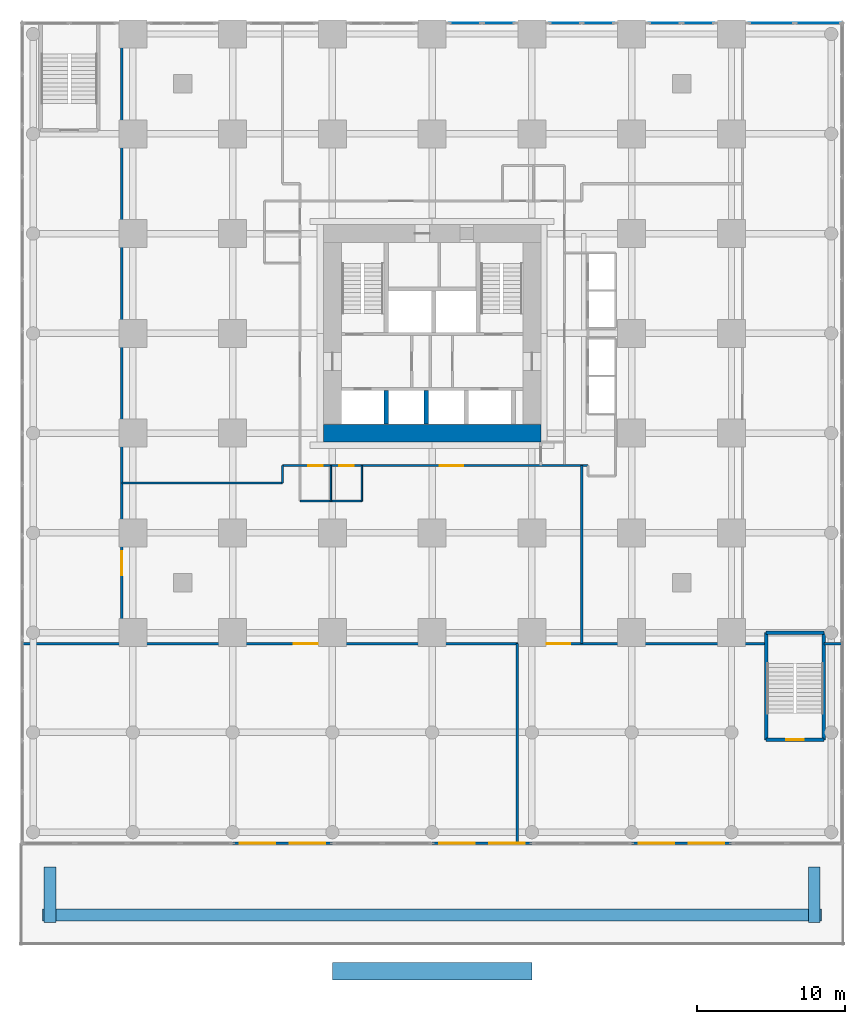
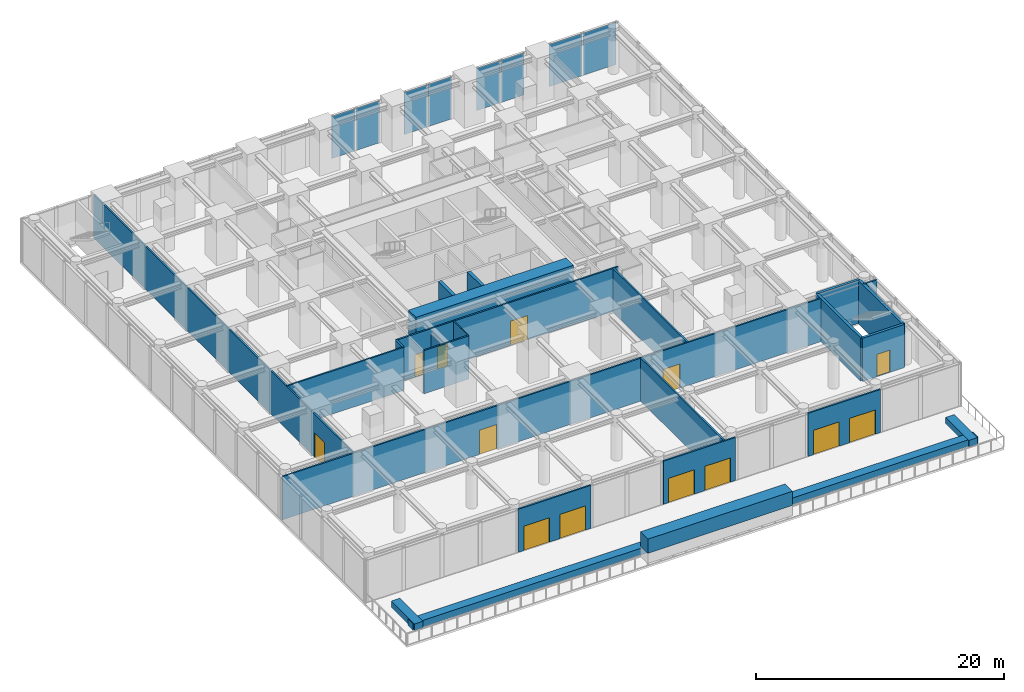
# One storey, part 8 of 11: 25 walls, 13 doors, 8 plates, 13 openings, 4 elements without a shape of their own.
"""IFC4 building model written with IfcOpenShell, lengths in metres."""

from ifc_helpers import new_model, si_unit, direction, frame, frame_2d, origin, origin_2d, place, context, subcontext, project, spatial, rectangle, extrude, material, layer, layer_set, type_object, element, fill, aggregate, save


model = new_model("IFC4")

# Units and contexts
model_context = context("Model", 3, precision=1e-05, world=origin(), true_north=direction((0.0, 1.0)))
body_context = subcontext(model_context, "Body", "Model", "MODEL_VIEW")
ifc_project = project(units=[si_unit("LENGTHUNIT", "METRE"), si_unit("AREAUNIT", "SQUARE_METRE"), si_unit("VOLUMEUNIT", "CUBIC_METRE"), si_unit("PLANEANGLEUNIT", "RADIAN"), si_unit("MASSUNIT", "GRAM", prefix="KILO")], contexts=[model_context])

# Site, building, storey
site_placement = place(None, origin())
site = spatial("IfcSite", under=ifc_project, at=site_placement, CompositionType="ELEMENT")
building_placement = place(site_placement, origin())
building = spatial("IfcBuilding", under=site, at=building_placement, Name="Nyansa Garden Tower", CompositionType="ELEMENT")
storey_placement = place(building_placement, frame((0.0, 0.0, 4.5)))
storey = spatial("IfcBuildingStorey", under=building, at=storey_placement, Name="L01", CompositionType="ELEMENT", Elevation=4.5)

# Curtain wall, plates
ifc_material_1 = material(Name="Black anodised aluminium, clear double glazing", Category="aluminium")
curtain_wall_type = type_object("IfcCurtainWallType", Name="Podium curtain wall PCW", PredefinedType="USERDEFINED", material=ifc_material_1)
curtain_wall_1_placement = place(storey_placement, origin())
curtain_wall_1 = element("IfcCurtainWall", 1, at=curtain_wall_1_placement, inside=storey, type_object=curtain_wall_type, Name="Podium curtain wall L01 N", ObjectType="STICK CURTAIN WALL", PredefinedType="USERDEFINED")
ifc_material_2 = material(Name="Clear laminated double glazing", Category="glass")
ifc_layer_1 = layer(ifc_material_2, 0.0380859375)
ifc_layer_set_1 = layer_set([ifc_layer_1], Name="Podium vision panel VP-P")
plate_type = type_object("IfcPlateType", Name="Podium vision panel VP-P", PredefinedType="CURTAIN_PANEL", material=ifc_layer_set_1)
plate_1_placement = place(storey_placement, frame((46.376220703125, 41.25, 0.0), z_axis=(0.0, 0.0, 1.0), x_axis=(-1.0, 0.0, 0.0)))
plate_1 = element("IfcPlate", 2, at=plate_1_placement, type_object=plate_type, Name="PCW panel 1", PredefinedType="CURTAIN_PANEL", context=body_context, shape_type="SweptSolid", body=[
    extrude(rectangle(XDim=3.08740234375, YDim=0.0380859375, at=origin_2d()), origin(), (0.0, 0.0, 1.0), 4.169921875),
])
plate_2_placement = place(storey_placement, frame((43.208740234375, 41.25, 0.0), z_axis=(0.0, 0.0, 1.0), x_axis=(-1.0, 0.0, 0.0)))
plate_2 = element("IfcPlate", 3, at=plate_2_placement, type_object=plate_type, Name="PCW panel 2", PredefinedType="CURTAIN_PANEL", context=body_context, shape_type="SweptSolid", body=[
    extrude(rectangle(XDim=3.08740234375, YDim=0.0380859375, at=origin_2d()), origin(), (0.0, 0.0, 1.0), 4.169921875),
])
aggregate(curtain_wall_1, [plate_1, plate_2])

curtain_wall_2_placement = place(storey_placement, origin())
curtain_wall_2 = element("IfcCurtainWall", 4, at=curtain_wall_2_placement, inside=storey, type_object=curtain_wall_type, Name="Podium curtain wall L01 N", ObjectType="STICK CURTAIN WALL", PredefinedType="USERDEFINED")
plate_3_placement = place(storey_placement, frame((38.25, 41.25, 0.0), z_axis=(0.0, 0.0, 1.0), x_axis=(-1.0, 0.0, 0.0)))
plate_3 = element("IfcPlate", 5, at=plate_3_placement, type_object=plate_type, Name="PCW panel 1", PredefinedType="CURTAIN_PANEL", context=body_context, shape_type="SweptSolid", body=[
    extrude(rectangle(XDim=2.169921875, YDim=0.0380859375, at=origin_2d()), origin(), (0.0, 0.0, 1.0), 4.169921875),
])
plate_4_placement = place(storey_placement, frame((36.0, 41.25, 0.0), z_axis=(0.0, 0.0, 1.0), x_axis=(-1.0, 0.0, 0.0)))
plate_4 = element("IfcPlate", 6, at=plate_4_placement, type_object=plate_type, Name="PCW panel 2", PredefinedType="CURTAIN_PANEL", context=body_context, shape_type="SweptSolid", body=[
    extrude(rectangle(XDim=2.169921875, YDim=0.0380859375, at=origin_2d()), origin(), (0.0, 0.0, 1.0), 4.169921875),
])
aggregate(curtain_wall_2, [plate_3, plate_4])

curtain_wall_3_placement = place(storey_placement, origin())
curtain_wall_3 = element("IfcCurtainWall", 7, at=curtain_wall_3_placement, inside=storey, type_object=curtain_wall_type, Name="Podium curtain wall L01 N", ObjectType="STICK CURTAIN WALL", PredefinedType="USERDEFINED")
plate_5_placement = place(storey_placement, frame((31.5, 41.25, 0.0), z_axis=(0.0, 0.0, 1.0), x_axis=(-1.0, 0.0, 0.0)))
plate_5 = element("IfcPlate", 8, at=plate_5_placement, type_object=plate_type, Name="PCW panel 1", PredefinedType="CURTAIN_PANEL", context=body_context, shape_type="SweptSolid", body=[
    extrude(rectangle(XDim=2.169921875, YDim=0.0380859375, at=origin_2d()), origin(), (0.0, 0.0, 1.0), 4.169921875),
])
plate_6_placement = place(storey_placement, frame((29.25, 41.25, 0.0), z_axis=(0.0, 0.0, 1.0), x_axis=(-1.0, 0.0, 0.0)))
plate_6 = element("IfcPlate", 9, at=plate_6_placement, type_object=plate_type, Name="PCW panel 2", PredefinedType="CURTAIN_PANEL", context=body_context, shape_type="SweptSolid", body=[
    extrude(rectangle(XDim=2.169921875, YDim=0.0380859375, at=origin_2d()), origin(), (0.0, 0.0, 1.0), 4.169921875),
])
aggregate(curtain_wall_3, [plate_5, plate_6])

curtain_wall_4_placement = place(storey_placement, origin())
curtain_wall_4 = element("IfcCurtainWall", 10, at=curtain_wall_4_placement, inside=storey, type_object=curtain_wall_type, Name="Podium curtain wall L01 N", ObjectType="STICK CURTAIN WALL", PredefinedType="USERDEFINED")
plate_7_placement = place(storey_placement, frame((24.75, 41.25, 0.0), z_axis=(0.0, 0.0, 1.0), x_axis=(-1.0, 0.0, 0.0)))
plate_7 = element("IfcPlate", 11, at=plate_7_placement, type_object=plate_type, Name="PCW panel 1", PredefinedType="CURTAIN_PANEL", context=body_context, shape_type="SweptSolid", body=[
    extrude(rectangle(XDim=2.169921875, YDim=0.0380859375, at=origin_2d()), origin(), (0.0, 0.0, 1.0), 4.169921875),
])
plate_8_placement = place(storey_placement, frame((22.5, 41.25, 0.0), z_axis=(0.0, 0.0, 1.0), x_axis=(-1.0, 0.0, 0.0)))
plate_8 = element("IfcPlate", 12, at=plate_8_placement, type_object=plate_type, Name="PCW panel 2", PredefinedType="CURTAIN_PANEL", context=body_context, shape_type="SweptSolid", body=[
    extrude(rectangle(XDim=2.169921875, YDim=0.0380859375, at=origin_2d()), origin(), (0.0, 0.0, 1.0), 4.169921875),
])
aggregate(curtain_wall_4, [plate_7, plate_8])

# Wall, openings, doors
ifc_material_3 = material(Name="Black aluminium framed glazed screen", Category="aluminium")
ifc_layer_2 = layer(ifc_material_3, 0.14990234375)
ifc_layer_set_2 = layer_set([ifc_layer_2], Name="Balcony screen wall BW150")
wall_type_1 = type_object("IfcWallType", Name="Balcony screen wall BW150", PredefinedType="SOLIDWALL", material=ifc_layer_set_2)
wall_1_placement = place(storey_placement, frame((13.5, -14.25, 0.0), z_axis=(0.0, 0.0, 1.0), x_axis=(-1.0, 0.0, 0.0)))
wall_1 = element("IfcWall", 13, at=wall_1_placement, inside=storey, type_object=wall_type_1, Name="Glazed screen wall L01 S", PredefinedType="SOLIDWALL", context=body_context, shape_type="SweptSolid", body=[
    extrude(rectangle(XDim=6.75, YDim=0.14990234375, at=frame_2d((3.375, 0.0))), origin(), (0.0, 0.0, 1.0), 4.25),
])
opening_1_placement = place(wall_1_placement, frame((0.487548828125, 0.0, 0.0)))
opening_1 = element("IfcOpeningElement", 14, at=opening_1_placement, cuts=wall_1, Name="Opening D21", PredefinedType="OPENING", context=body_context, shape_type="SweptSolid", body=[
    extrude(rectangle(XDim=2.39990234375, YDim=2.39990234375, at=frame_2d((1.199951171875, 1.199951171875))), frame((0.0, 0.0849609375, 0.0), z_axis=(0.0, -1.0, 0.0), x_axis=(1.0, 0.0, 0.0)), (0.0, 0.0, 1.0), 0.169921875),
])
opening_2_placement = place(wall_1_placement, frame((3.862548828125, 0.0, 0.0)))
opening_2 = element("IfcOpeningElement", 15, at=opening_2_placement, cuts=wall_1, Name="Opening D21", PredefinedType="OPENING", context=body_context, shape_type="SweptSolid", body=[
    extrude(rectangle(XDim=2.39990234375, YDim=2.39990234375, at=frame_2d((1.199951171875, 1.199951171875))), frame((0.0, 0.0849609375, 0.0), z_axis=(0.0, -1.0, 0.0), x_axis=(1.0, 0.0, 0.0)), (0.0, 0.0, 1.0), 0.169921875),
])
ifc_material_4 = material(Name="Black aluminium framed glazed sliding door", Category="aluminium")
door_type_1 = type_object("IfcDoorType", Name="Terrace sliding door D21 2400x2400", OperationType="SLIDING_TO_LEFT", PredefinedType="DOOR", material=ifc_material_4)
door_1_placement = place(opening_1_placement, origin())
door_1 = element("IfcDoor", 16, at=door_1_placement, inside=storey, type_object=door_type_1, Name="Terrace door L01", OperationType="SLIDING_TO_LEFT", OverallHeight=2.39990234375, OverallWidth=2.39990234375, PredefinedType="DOOR", context=body_context, shape_type="SweptSolid", body=[
    extrude(rectangle(XDim=2.39990234375, YDim=2.39990234375, at=frame_2d((1.199951171875, 1.199951171875))), frame((0.0, 0.02490234375, 0.0), z_axis=(0.0, -1.0, 0.0), x_axis=(1.0, 0.0, 0.0)), (0.0, 0.0, 1.0), 0.050048828125),
])
fill(opening_1, door_1)
door_2_placement = place(opening_2_placement, origin())
door_2 = element("IfcDoor", 17, at=door_2_placement, inside=storey, type_object=door_type_1, Name="Terrace door L01", OperationType="SLIDING_TO_LEFT", OverallHeight=2.39990234375, OverallWidth=2.39990234375, PredefinedType="DOOR", context=body_context, shape_type="SweptSolid", body=[
    extrude(rectangle(XDim=2.39990234375, YDim=2.39990234375, at=frame_2d((1.199951171875, 1.199951171875))), frame((0.0, 0.02490234375, 0.0), z_axis=(0.0, -1.0, 0.0), x_axis=(1.0, 0.0, 0.0)), (0.0, 0.0, 1.0), 0.050048828125),
])
fill(opening_2, door_2)

wall_2_placement = place(storey_placement, frame((27.0, -14.25, 0.0), z_axis=(0.0, 0.0, 1.0), x_axis=(-1.0, 0.0, 0.0)))
wall_2 = element("IfcWall", 18, at=wall_2_placement, inside=storey, type_object=wall_type_1, Name="Glazed screen wall L01 S", PredefinedType="SOLIDWALL", context=body_context, shape_type="SweptSolid", body=[
    extrude(rectangle(XDim=6.75, YDim=0.14990234375, at=frame_2d((3.375, 0.0))), origin(), (0.0, 0.0, 1.0), 4.25),
])
opening_3_placement = place(wall_2_placement, frame((0.487548828125, 0.0, 0.0)))
opening_3 = element("IfcOpeningElement", 19, at=opening_3_placement, cuts=wall_2, Name="Opening D21", PredefinedType="OPENING", context=body_context, shape_type="SweptSolid", body=[
    extrude(rectangle(XDim=2.39990234375, YDim=2.39990234375, at=frame_2d((1.199951171875, 1.199951171875))), frame((0.0, 0.0849609375, 0.0), z_axis=(0.0, -1.0, 0.0), x_axis=(1.0, 0.0, 0.0)), (0.0, 0.0, 1.0), 0.169921875),
])
opening_4_placement = place(wall_2_placement, frame((3.862548828125, 0.0, 0.0)))
opening_4 = element("IfcOpeningElement", 20, at=opening_4_placement, cuts=wall_2, Name="Opening D21", PredefinedType="OPENING", context=body_context, shape_type="SweptSolid", body=[
    extrude(rectangle(XDim=2.39990234375, YDim=2.39990234375, at=frame_2d((1.199951171875, 1.199951171875))), frame((0.0, 0.0849609375, 0.0), z_axis=(0.0, -1.0, 0.0), x_axis=(1.0, 0.0, 0.0)), (0.0, 0.0, 1.0), 0.169921875),
])
door_3_placement = place(opening_3_placement, origin())
door_3 = element("IfcDoor", 21, at=door_3_placement, inside=storey, type_object=door_type_1, Name="Terrace door L01", OperationType="SLIDING_TO_LEFT", OverallHeight=2.39990234375, OverallWidth=2.39990234375, PredefinedType="DOOR", context=body_context, shape_type="SweptSolid", body=[
    extrude(rectangle(XDim=2.39990234375, YDim=2.39990234375, at=frame_2d((1.199951171875, 1.199951171875))), frame((0.0, 0.02490234375, 0.0), z_axis=(0.0, -1.0, 0.0), x_axis=(1.0, 0.0, 0.0)), (0.0, 0.0, 1.0), 0.050048828125),
])
fill(opening_3, door_3)
door_4_placement = place(opening_4_placement, origin())
door_4 = element("IfcDoor", 22, at=door_4_placement, inside=storey, type_object=door_type_1, Name="Terrace door L01", OperationType="SLIDING_TO_LEFT", OverallHeight=2.39990234375, OverallWidth=2.39990234375, PredefinedType="DOOR", context=body_context, shape_type="SweptSolid", body=[
    extrude(rectangle(XDim=2.39990234375, YDim=2.39990234375, at=frame_2d((1.199951171875, 1.199951171875))), frame((0.0, 0.02490234375, 0.0), z_axis=(0.0, -1.0, 0.0), x_axis=(1.0, 0.0, 0.0)), (0.0, 0.0, 1.0), 0.050048828125),
])
fill(opening_4, door_4)

wall_3_placement = place(storey_placement, frame((40.5, -14.25, 0.0), z_axis=(0.0, 0.0, 1.0), x_axis=(-1.0, 0.0, 0.0)))
wall_3 = element("IfcWall", 23, at=wall_3_placement, inside=storey, type_object=wall_type_1, Name="Glazed screen wall L01 S", PredefinedType="SOLIDWALL", context=body_context, shape_type="SweptSolid", body=[
    extrude(rectangle(XDim=6.75, YDim=0.14990234375, at=frame_2d((3.375, 0.0))), origin(), (0.0, 0.0, 1.0), 4.25),
])
opening_5_placement = place(wall_3_placement, frame((0.487548828125, 0.0, 0.0)))
opening_5 = element("IfcOpeningElement", 24, at=opening_5_placement, cuts=wall_3, Name="Opening D21", PredefinedType="OPENING", context=body_context, shape_type="SweptSolid", body=[
    extrude(rectangle(XDim=2.39990234375, YDim=2.39990234375, at=frame_2d((1.199951171875, 1.199951171875))), frame((0.0, 0.0849609375, 0.0), z_axis=(0.0, -1.0, 0.0), x_axis=(1.0, 0.0, 0.0)), (0.0, 0.0, 1.0), 0.169921875),
])
opening_6_placement = place(wall_3_placement, frame((3.862548828125, 0.0, 0.0)))
opening_6 = element("IfcOpeningElement", 25, at=opening_6_placement, cuts=wall_3, Name="Opening D21", PredefinedType="OPENING", context=body_context, shape_type="SweptSolid", body=[
    extrude(rectangle(XDim=2.39990234375, YDim=2.39990234375, at=frame_2d((1.199951171875, 1.199951171875))), frame((0.0, 0.0849609375, 0.0), z_axis=(0.0, -1.0, 0.0), x_axis=(1.0, 0.0, 0.0)), (0.0, 0.0, 1.0), 0.169921875),
])
door_5_placement = place(opening_5_placement, origin())
door_5 = element("IfcDoor", 26, at=door_5_placement, inside=storey, type_object=door_type_1, Name="Terrace door L01", OperationType="SLIDING_TO_LEFT", OverallHeight=2.39990234375, OverallWidth=2.39990234375, PredefinedType="DOOR", context=body_context, shape_type="SweptSolid", body=[
    extrude(rectangle(XDim=2.39990234375, YDim=2.39990234375, at=frame_2d((1.199951171875, 1.199951171875))), frame((0.0, 0.02490234375, 0.0), z_axis=(0.0, -1.0, 0.0), x_axis=(1.0, 0.0, 0.0)), (0.0, 0.0, 1.0), 0.050048828125),
])
fill(opening_5, door_5)
door_6_placement = place(opening_6_placement, origin())
door_6 = element("IfcDoor", 27, at=door_6_placement, inside=storey, type_object=door_type_1, Name="Terrace door L01", OperationType="SLIDING_TO_LEFT", OverallHeight=2.39990234375, OverallWidth=2.39990234375, PredefinedType="DOOR", context=body_context, shape_type="SweptSolid", body=[
    extrude(rectangle(XDim=2.39990234375, YDim=2.39990234375, at=frame_2d((1.199951171875, 1.199951171875))), frame((0.0, 0.02490234375, 0.0), z_axis=(0.0, -1.0, 0.0), x_axis=(1.0, 0.0, 0.0)), (0.0, 0.0, 1.0), 0.050048828125),
])
fill(opening_6, door_6)

# Walls
ifc_material_5 = material(Name="Concrete C70/85", Category="concrete")
ifc_layer_3 = layer(ifc_material_5, 0.300048828125)
ifc_layer_set_3 = layer_set([ifc_layer_3], Name="Core inner wall CI300")
wall_type_2 = type_object("IfcWallType", Name="Core inner wall CI300", PredefinedType="SHEAR", material=ifc_layer_set_3)
for number, where, z_axis, x_axis, name in (
    (28, (17.14990234375, 14.10009765625, 0.0), (0.0, 0.0, 1.0), (0.0, 1.0, 0.0), "Core inner wall L01"),
    (29, (19.85009765625, 14.10009765625, 0.0), (0.0, 0.0, 1.0), (0.0, 1.0, 0.0), "Core inner wall L01"),
):
    element("IfcWall", number, at=place(storey_placement, frame(where, z_axis=z_axis, x_axis=x_axis)), inside=storey, type_object=wall_type_2, Name=name, PredefinedType="SHEAR", context=body_context, shape_type="SweptSolid", body=[
        extrude(rectangle(XDim=2.2998046875, YDim=0.300048828125, at=frame_2d((1.14990234375, 0.0))), origin(), (0.0, 0.0, 1.0), 4.5),
    ])
ifc_material_6 = material(Name="Concrete C80/95", Category="concrete")
ifc_layer_4 = layer(ifc_material_6, 1.199951171875)
ifc_layer_set_4 = layer_set([ifc_layer_4], Name="Core wall CW1200")
wall_type_3 = type_object("IfcWallType", Name="Core wall CW1200", PredefinedType="SHEAR", material=ifc_layer_set_4)
wall_4_placement = place(storey_placement, frame((12.89990234375, 13.5, 0.0), z_axis=(0.0, 0.0, 1.0), x_axis=(1.0, 0.0, 0.0)))
element("IfcWall", 30, at=wall_4_placement, inside=storey, type_object=wall_type_3, Name="Core wall S L01", PredefinedType="SHEAR", context=body_context, shape_type="SweptSolid", body=[
    extrude(rectangle(XDim=14.7001953125, YDim=1.199951171875, at=frame_2d((7.35009765625, 0.0))), origin(), (0.0, 0.0, 1.0), 4.5),
])

# Wall, openings, doors
ifc_material_7 = material(Name="Blockwork, plastered both sides", Category="masonry")
ifc_layer_5 = layer(ifc_material_7, 0.14990234375)
ifc_layer_set_5 = layer_set([ifc_layer_5], Name="Partition PW150")
wall_type_4 = type_object("IfcWallType", Name="Partition PW150", PredefinedType="PARTITIONING", material=ifc_layer_set_5)
wall_5_placement = place(storey_placement, frame((-7.48388671875, -0.75, 0.0), z_axis=(0.0, 0.0, 1.0), x_axis=(1.0, 0.0, 0.0)))
wall_5 = element("IfcWall", 31, at=wall_5_placement, inside=storey, type_object=wall_type_4, Name="Partition", PredefinedType="PARTITIONING", context=body_context, shape_type="SweptSolid", body=[
    extrude(rectangle(XDim=50.333984375, YDim=0.14990234375, at=frame_2d((25.1669921875, 0.0))), origin(), (0.0, 0.0, 1.0), 4.25),
])
opening_7_placement = place(wall_5_placement, frame((18.384033203125, 0.0, 0.0)))
opening_7 = element("IfcOpeningElement", 32, at=opening_7_placement, cuts=wall_5, Name="Opening D12", PredefinedType="OPENING", context=body_context, shape_type="SweptSolid", body=[
    extrude(rectangle(XDim=1.60009765625, YDim=2.39990234375, at=frame_2d((0.800048828125, 1.199951171875))), frame((0.0, 0.0849609375, 0.0), z_axis=(0.0, -1.0, 0.0), x_axis=(1.0, 0.0, 0.0)), (0.0, 0.0, 1.0), 0.169921875),
])
opening_8_placement = place(wall_5_placement, frame((35.48388671875, 0.0, 0.0)))
opening_8 = element("IfcOpeningElement", 33, at=opening_8_placement, cuts=wall_5, Name="Opening D12", PredefinedType="OPENING", context=body_context, shape_type="SweptSolid", body=[
    extrude(rectangle(XDim=1.60009765625, YDim=2.39990234375, at=frame_2d((0.800048828125, 1.199951171875))), frame((0.0, 0.0849609375, 0.0), z_axis=(0.0, -1.0, 0.0), x_axis=(1.0, 0.0, 0.0)), (0.0, 0.0, 1.0), 0.169921875),
])
ifc_material_8 = material(Name="Black aluminium glazed door, 60 minute fire resisting", Category="aluminium")
door_type_2 = type_object("IfcDoorType", Name="Amenity door D12 1600x2400", OperationType="DOUBLE_DOOR_SINGLE_SWING", PredefinedType="DOOR", material=ifc_material_8)
door_7_placement = place(opening_7_placement, origin())
door_7 = element("IfcDoor", 34, at=door_7_placement, inside=storey, type_object=door_type_2, Name="Door L01-030", OperationType="DOUBLE_DOOR_SINGLE_SWING", OverallHeight=2.39990234375, OverallWidth=1.60009765625, PredefinedType="DOOR", context=body_context, shape_type="SweptSolid", body=[
    extrude(rectangle(XDim=1.60009765625, YDim=2.39990234375, at=frame_2d((0.800048828125, 1.199951171875))), frame((0.0, 0.02490234375, 0.0), z_axis=(0.0, -1.0, 0.0), x_axis=(1.0, 0.0, 0.0)), (0.0, 0.0, 1.0), 0.050048828125),
])
fill(opening_7, door_7)
door_8_placement = place(opening_8_placement, origin())
door_8 = element("IfcDoor", 35, at=door_8_placement, inside=storey, type_object=door_type_2, Name="Door L01-031", OperationType="DOUBLE_DOOR_SINGLE_SWING", OverallHeight=2.39990234375, OverallWidth=1.60009765625, PredefinedType="DOOR", context=body_context, shape_type="SweptSolid", body=[
    extrude(rectangle(XDim=1.60009765625, YDim=2.39990234375, at=frame_2d((0.800048828125, 1.199951171875))), frame((0.0, 0.02490234375, 0.0), z_axis=(0.0, -1.0, 0.0), x_axis=(1.0, 0.0, 0.0)), (0.0, 0.0, 1.0), 0.050048828125),
])
fill(opening_8, door_8)

# Wall, opening, door
wall_6_placement = place(storey_placement, frame((-0.75, -0.75, 0.0), z_axis=(0.0, 0.0, 1.0), x_axis=(0.0, 1.0, 0.0)))
wall_6 = element("IfcWall", 36, at=wall_6_placement, inside=storey, type_object=wall_type_4, Name="Partition", PredefinedType="PARTITIONING", context=body_context, shape_type="SweptSolid", body=[
    extrude(rectangle(XDim=41.98388671875, YDim=0.14990234375, at=frame_2d((20.991943359375, 0.0))), origin(), (0.0, 0.0, 1.0), 4.25),
])
opening_9_placement = place(wall_6_placement, frame((4.64990234375, 0.0, 0.0)))
opening_9 = element("IfcOpeningElement", 37, at=opening_9_placement, cuts=wall_6, Name="Opening D12", PredefinedType="OPENING", context=body_context, shape_type="SweptSolid", body=[
    extrude(rectangle(XDim=1.60009765625, YDim=2.39990234375, at=frame_2d((0.800048828125, 1.199951171875))), frame((0.0, 0.0849609375, 0.0), z_axis=(0.0, -1.0, 0.0), x_axis=(1.0, 0.0, 0.0)), (0.0, 0.0, 1.0), 0.169921875),
])
door_9_placement = place(opening_9_placement, origin())
door_9 = element("IfcDoor", 38, at=door_9_placement, inside=storey, type_object=door_type_2, Name="Door L01-032", OperationType="DOUBLE_DOOR_SINGLE_SWING", OverallHeight=2.39990234375, OverallWidth=1.60009765625, PredefinedType="DOOR", context=body_context, shape_type="SweptSolid", body=[
    extrude(rectangle(XDim=1.60009765625, YDim=2.39990234375, at=frame_2d((0.800048828125, 1.199951171875))), frame((0.0, 0.02490234375, 0.0), z_axis=(0.0, -1.0, 0.0), x_axis=(1.0, 0.0, 0.0)), (0.0, 0.0, 1.0), 0.050048828125),
])
fill(opening_9, door_9)

# Walls
wall_7_placement = place(storey_placement, frame((-0.75, 10.125, 0.0), z_axis=(0.0, 0.0, 1.0), x_axis=(1.0, 0.0, 0.0)))
element("IfcWall", 39, at=wall_7_placement, inside=storey, type_object=wall_type_4, Name="Partition", PredefinedType="PARTITIONING", context=body_context, shape_type="SweptSolid", body=[
    extrude(rectangle(XDim=10.875, YDim=0.14990234375, at=frame_2d((5.4375, 0.0))), origin(), (0.0, 0.0, 1.0), 4.25),
])
wall_8_placement = place(storey_placement, frame((10.125, 10.125, 0.0), z_axis=(0.0, 0.0, 1.0), x_axis=(0.0, 1.0, 0.0)))
element("IfcWall", 40, at=wall_8_placement, inside=storey, type_object=wall_type_4, Name="Partition", PredefinedType="PARTITIONING", context=body_context, shape_type="SweptSolid", body=[
    extrude(rectangle(XDim=1.175048828125, YDim=0.14990234375, at=frame_2d((0.58740234375, 0.0))), origin(), (0.0, 0.0, 1.0), 4.25),
])

# Wall, openings, doors
wall_9_placement = place(storey_placement, frame((10.125, 11.300048828125, 0.0), z_axis=(0.0, 0.0, 1.0), x_axis=(1.0, 0.0, 0.0)))
wall_9 = element("IfcWall", 41, at=wall_9_placement, inside=storey, type_object=wall_type_4, Name="Partition", PredefinedType="PARTITIONING", context=body_context, shape_type="SweptSolid", body=[
    extrude(rectangle(XDim=20.675048828125, YDim=0.14990234375, at=frame_2d((10.33740234375, 0.0))), origin(), (0.0, 0.0, 1.0), 4.25),
])
opening_10_placement = place(wall_9_placement, frame((1.72509765625, 0.0, 0.0)))
opening_10 = element("IfcOpeningElement", 42, at=opening_10_placement, cuts=wall_9, Name="Opening D08", PredefinedType="OPENING", context=body_context, shape_type="SweptSolid", body=[
    extrude(rectangle(XDim=1.0, YDim=2.199951171875, at=frame_2d((0.5, 1.10009765625))), frame((0.0, 0.0849609375, 0.0), z_axis=(0.0, -1.0, 0.0), x_axis=(1.0, 0.0, 0.0)), (0.0, 0.0, 1.0), 0.169921875),
])
opening_11_placement = place(wall_9_placement, frame((3.824951171875, 0.0, 0.0)))
opening_11 = element("IfcOpeningElement", 43, at=opening_11_placement, cuts=wall_9, Name="Opening D08", PredefinedType="OPENING", context=body_context, shape_type="SweptSolid", body=[
    extrude(rectangle(XDim=1.0, YDim=2.199951171875, at=frame_2d((0.5, 1.10009765625))), frame((0.0, 0.0849609375, 0.0), z_axis=(0.0, -1.0, 0.0), x_axis=(1.0, 0.0, 0.0)), (0.0, 0.0, 1.0), 0.169921875),
])
opening_12_placement = place(wall_9_placement, frame((10.625, 0.0, 0.0)))
opening_12 = element("IfcOpeningElement", 44, at=opening_12_placement, cuts=wall_9, Name="Opening D12", PredefinedType="OPENING", context=body_context, shape_type="SweptSolid", body=[
    extrude(rectangle(XDim=1.60009765625, YDim=2.39990234375, at=frame_2d((0.800048828125, 1.199951171875))), frame((0.0, 0.0849609375, 0.0), z_axis=(0.0, -1.0, 0.0), x_axis=(1.0, 0.0, 0.0)), (0.0, 0.0, 1.0), 0.169921875),
])
ifc_material_9 = material(Name="Timber flush door, outward opening", Category="wood")
door_type_3 = type_object("IfcDoorType", Name="Accessible WC door D08 1000x2200", OperationType="SINGLE_SWING_LEFT", PredefinedType="DOOR", material=ifc_material_9)
door_10_placement = place(opening_10_placement, origin())
door_10 = element("IfcDoor", 45, at=door_10_placement, inside=storey, type_object=door_type_3, Name="Door L01-018", OperationType="SINGLE_SWING_LEFT", OverallHeight=2.199951171875, OverallWidth=1.0, PredefinedType="DOOR", context=body_context, shape_type="SweptSolid", body=[
    extrude(rectangle(XDim=1.0, YDim=2.199951171875, at=frame_2d((0.5, 1.10009765625))), frame((0.0, 0.02490234375, 0.0), z_axis=(0.0, -1.0, 0.0), x_axis=(1.0, 0.0, 0.0)), (0.0, 0.0, 1.0), 0.050048828125),
])
fill(opening_10, door_10)
door_11_placement = place(opening_11_placement, origin())
door_11 = element("IfcDoor", 46, at=door_11_placement, inside=storey, type_object=door_type_3, Name="Door L01-019", OperationType="SINGLE_SWING_LEFT", OverallHeight=2.199951171875, OverallWidth=1.0, PredefinedType="DOOR", context=body_context, shape_type="SweptSolid", body=[
    extrude(rectangle(XDim=1.0, YDim=2.199951171875, at=frame_2d((0.5, 1.10009765625))), frame((0.0, 0.02490234375, 0.0), z_axis=(0.0, -1.0, 0.0), x_axis=(1.0, 0.0, 0.0)), (0.0, 0.0, 1.0), 0.050048828125),
])
fill(opening_11, door_11)
door_12_placement = place(opening_12_placement, origin())
door_12 = element("IfcDoor", 47, at=door_12_placement, inside=storey, type_object=door_type_2, Name="Door L01-020", OperationType="DOUBLE_DOOR_SINGLE_SWING", OverallHeight=2.39990234375, OverallWidth=1.60009765625, PredefinedType="DOOR", context=body_context, shape_type="SweptSolid", body=[
    extrude(rectangle(XDim=1.60009765625, YDim=2.39990234375, at=frame_2d((0.800048828125, 1.199951171875))), frame((0.0, 0.02490234375, 0.0), z_axis=(0.0, -1.0, 0.0), x_axis=(1.0, 0.0, 0.0)), (0.0, 0.0, 1.0), 0.050048828125),
])
fill(opening_12, door_12)

# Walls
wall_10_placement = place(storey_placement, frame((11.300048828125, 8.89990234375, 0.0), z_axis=(0.0, 0.0, 1.0), x_axis=(1.0, 0.0, 0.0)))
element("IfcWall", 48, at=wall_10_placement, inside=storey, type_object=wall_type_4, Name="Partition", PredefinedType="PARTITIONING", context=body_context, shape_type="SweptSolid", body=[
    extrude(rectangle(XDim=4.199951171875, YDim=0.14990234375, at=frame_2d((2.10009765625, 0.0))), origin(), (0.0, 0.0, 1.0), 4.25),
])
wall_11_placement = place(storey_placement, frame((26.0, -14.175048828125, 0.0), z_axis=(0.0, 0.0, 1.0), x_axis=(0.0, 1.0, 0.0)))
element("IfcWall", 49, at=wall_11_placement, inside=storey, type_object=wall_type_4, Name="Partition", PredefinedType="PARTITIONING", context=body_context, shape_type="SweptSolid", body=[
    extrude(rectangle(XDim=13.425048828125, YDim=0.14990234375, at=frame_2d((6.71240234375, 0.0))), origin(), (0.0, 0.0, 1.0), 4.25),
])
wall_12_placement = place(storey_placement, frame((30.375, -0.75, 0.0), z_axis=(0.0, 0.0, 1.0), x_axis=(0.0, 1.0, 0.0)))
element("IfcWall", 50, at=wall_12_placement, inside=storey, type_object=wall_type_4, Name="Partition", PredefinedType="PARTITIONING", context=body_context, shape_type="SweptSolid", body=[
    extrude(rectangle(XDim=12.050048828125, YDim=0.14990234375, at=frame_2d((6.02490234375, 0.0))), origin(), (0.0, 0.0, 1.0), 4.25),
])
wall_13_placement = place(storey_placement, frame((46.75, -0.75, 0.0), z_axis=(0.0, 0.0, 1.0), x_axis=(1.0, 0.0, 0.0)))
element("IfcWall", 51, at=wall_13_placement, inside=storey, type_object=wall_type_4, Name="Partition", PredefinedType="PARTITIONING", context=body_context, shape_type="SweptSolid", body=[
    extrude(rectangle(XDim=1.23388671875, YDim=0.14990234375, at=frame_2d((0.616943359375, 0.0))), origin(), (0.0, 0.0, 1.0), 4.25),
])
ifc_material_10 = material(Name="Turquoise glazed tile on reinforced concrete C70/85", Category="concrete")
ifc_layer_6 = layer(ifc_material_10, 1.199951171875)
ifc_layer_set_6 = layer_set([ifc_layer_6], Name="Pishtaq portal pier PP1")
wall_type_5 = type_object("IfcWallType", Name="Pishtaq portal pier PP1", PredefinedType="USERDEFINED", material=ifc_layer_set_6)
wall_14_placement = place(storey_placement, frame((13.5, -22.89990234375, 3.10009765625), z_axis=(0.0, 0.0, 1.0), x_axis=(1.0, 0.0, 0.0)))
element("IfcWall", 52, at=wall_14_placement, inside=storey, type_object=wall_type_5, Name="Pishtaq portal head", ObjectType="PISHTAQ PORTAL", PredefinedType="USERDEFINED", context=body_context, shape_type="SweptSolid", body=[
    extrude(rectangle(XDim=13.5, YDim=1.199951171875, at=frame_2d((6.75, 0.0))), origin(), (0.0, 0.0, 1.0), 1.39990234375),
])
ifc_material_11 = material(Name="Reinforced blockwork, 120 minute fire resisting", Category="masonry")
ifc_layer_7 = layer(ifc_material_11, 0.25)
ifc_layer_set_7 = layer_set([ifc_layer_7], Name="Stair enclosure wall SW250")
wall_type_6 = type_object("IfcWallType", Name="Stair enclosure wall SW250", PredefinedType="SOLIDWALL", material=ifc_layer_set_7)
wall_15_placement = place(storey_placement, frame((42.85009765625, -7.25, 0.0), z_axis=(0.0, 0.0, 1.0), x_axis=(0.0, 1.0, 0.0)))
element("IfcWall", 53, at=wall_15_placement, inside=storey, type_object=wall_type_6, Name="Stair enclosure wall", PredefinedType="SOLIDWALL", context=body_context, shape_type="SweptSolid", body=[
    extrude(rectangle(XDim=7.25, YDim=0.25, at=frame_2d((3.625, 0.0))), origin(), (0.0, 0.0, 1.0), 4.25),
])

# Wall, opening, door
wall_16_placement = place(storey_placement, frame((42.85009765625, -7.25, 0.0), z_axis=(0.0, 0.0, 1.0), x_axis=(1.0, 0.0, 0.0)))
wall_16 = element("IfcWall", 54, at=wall_16_placement, inside=storey, type_object=wall_type_6, Name="Stair enclosure wall", PredefinedType="SOLIDWALL", context=body_context, shape_type="SweptSolid", body=[
    extrude(rectangle(XDim=3.89990234375, YDim=0.25, at=frame_2d((1.949951171875, 0.0))), origin(), (0.0, 0.0, 1.0), 4.25),
])
opening_13_placement = place(wall_16_placement, frame((1.35009765625, 0.0, 0.0)))
opening_13 = element("IfcOpeningElement", 55, at=opening_13_placement, cuts=wall_16, Name="Opening D13", PredefinedType="OPENING", context=body_context, shape_type="SweptSolid", body=[
    extrude(rectangle(XDim=1.199951171875, YDim=2.199951171875, at=frame_2d((0.60009765625, 1.10009765625))), frame((0.0, 0.135009765625, 0.0), z_axis=(0.0, -1.0, 0.0), x_axis=(1.0, 0.0, 0.0)), (0.0, 0.0, 1.0), 0.27001953125),
])
ifc_material_12 = material(Name="Steel door, 60 minute fire resisting, panic bar", Category="steel")
door_type_4 = type_object("IfcDoorType", Name="Exit stair door D13 1200x2200", OperationType="SINGLE_SWING_LEFT", PredefinedType="DOOR", material=ifc_material_12)
door_13_placement = place(opening_13_placement, origin())
door_13 = element("IfcDoor", 56, at=door_13_placement, inside=storey, type_object=door_type_4, Name="Exit door to stair S4", OperationType="SINGLE_SWING_LEFT", OverallHeight=2.199951171875, OverallWidth=1.199951171875, PredefinedType="DOOR", context=body_context, shape_type="SweptSolid", body=[
    extrude(rectangle(XDim=1.199951171875, YDim=2.199951171875, at=frame_2d((0.60009765625, 1.10009765625))), frame((0.0, 0.02490234375, 0.0), z_axis=(0.0, -1.0, 0.0), x_axis=(1.0, 0.0, 0.0)), (0.0, 0.0, 1.0), 0.050048828125),
])
fill(opening_13, door_13)

# Walls
wall_17_placement = place(storey_placement, frame((42.85009765625, 0.0, 0.0), z_axis=(0.0, 0.0, 1.0), x_axis=(1.0, 0.0, 0.0)))
element("IfcWall", 57, at=wall_17_placement, inside=storey, type_object=wall_type_6, Name="Stair enclosure wall", PredefinedType="SOLIDWALL", context=body_context, shape_type="SweptSolid", body=[
    extrude(rectangle(XDim=3.89990234375, YDim=0.25, at=frame_2d((1.949951171875, 0.0))), origin(), (0.0, 0.0, 1.0), 4.25),
])
wall_18_placement = place(storey_placement, frame((46.75, -7.25, 0.0), z_axis=(0.0, 0.0, 1.0), x_axis=(0.0, 1.0, 0.0)))
element("IfcWall", 58, at=wall_18_placement, inside=storey, type_object=wall_type_6, Name="Stair enclosure wall", PredefinedType="SOLIDWALL", context=body_context, shape_type="SweptSolid", body=[
    extrude(rectangle(XDim=7.25, YDim=0.25, at=frame_2d((3.625, 0.0))), origin(), (0.0, 0.0, 1.0), 4.25),
])
ifc_material_13 = material(Name="Concrete C40/50 planter, waterproofed", Category="concrete")
ifc_layer_8 = layer(ifc_material_13, 0.800048828125)
ifc_layer_set_8 = layer_set([ifc_layer_8], Name="Terrace planter TP2")
wall_type_7 = type_object("IfcWallType", Name="Terrace planter TP2", PredefinedType="USERDEFINED", material=ifc_layer_set_8)
wall_19_placement = place(storey_placement, frame((46.10009765625, -15.85009765625, -0.06005859375), z_axis=(0.0, 0.0, 1.0), x_axis=(0.0, -1.0, 0.0)))
element("IfcWall", 59, at=wall_19_placement, inside=storey, type_object=wall_type_7, Name="Terrace planter L01", ObjectType="TERRACE PLANTER", PredefinedType="USERDEFINED", context=body_context, shape_type="SweptSolid", body=[
    extrude(rectangle(XDim=3.75, YDim=0.800048828125, at=frame_2d((1.875, 0.0))), origin(), (0.0, 0.0, 1.0), 0.66015625),
])
wall_20_placement = place(storey_placement, frame((46.60009765625, -19.10009765625, -0.06005859375), z_axis=(0.0, 0.0, 1.0), x_axis=(-1.0, 0.0, 0.0)))
element("IfcWall", 60, at=wall_20_placement, inside=storey, type_object=wall_type_7, Name="Terrace planter L01", ObjectType="TERRACE PLANTER", PredefinedType="USERDEFINED", context=body_context, shape_type="SweptSolid", body=[
    extrude(rectangle(XDim=52.7001953125, YDim=0.800048828125, at=frame_2d((26.35009765625, 0.0))), origin(), (0.0, 0.0, 1.0), 0.66015625),
])
wall_21_placement = place(storey_placement, frame((-5.60009765625, -19.60009765625, -0.06005859375), z_axis=(0.0, 0.0, 1.0), x_axis=(0.0, 1.0, 0.0)))
element("IfcWall", 61, at=wall_21_placement, inside=storey, type_object=wall_type_7, Name="Terrace planter L01", ObjectType="TERRACE PLANTER", PredefinedType="USERDEFINED", context=body_context, shape_type="SweptSolid", body=[
    extrude(rectangle(XDim=3.75, YDim=0.800048828125, at=frame_2d((1.875, 0.0))), origin(), (0.0, 0.0, 1.0), 0.66015625),
])
ifc_material_14 = material(Name="Moisture resistant board on steel studs, tiled", Category="steel")
ifc_layer_9 = layer(ifc_material_14, 0.10009765625)
ifc_layer_set_9 = layer_set([ifc_layer_9], Name="Wet wall PW100")
wall_type_8 = type_object("IfcWallType", Name="Wet wall PW100", PredefinedType="PARTITIONING", material=ifc_layer_set_9)
wall_22_placement = place(storey_placement, frame((13.39990234375, 8.89990234375, 0.0), z_axis=(0.0, 0.0, 1.0), x_axis=(0.0, 1.0, 0.0)))
element("IfcWall", 62, at=wall_22_placement, inside=storey, type_object=wall_type_8, Name="Wet wall", PredefinedType="PARTITIONING", context=body_context, shape_type="SweptSolid", body=[
    extrude(rectangle(XDim=2.400146484375, YDim=0.10009765625, at=frame_2d((1.2001953125, 0.0))), origin(), (0.0, 0.0, 1.0), 3.751953125),
])
wall_23_placement = place(storey_placement, frame((15.5, 8.89990234375, 0.0), z_axis=(0.0, 0.0, 1.0), x_axis=(0.0, 1.0, 0.0)))
element("IfcWall", 63, at=wall_23_placement, inside=storey, type_object=wall_type_8, Name="Wet wall", PredefinedType="PARTITIONING", context=body_context, shape_type="SweptSolid", body=[
    extrude(rectangle(XDim=2.400146484375, YDim=0.10009765625, at=frame_2d((1.2001953125, 0.0))), origin(), (0.0, 0.0, 1.0), 4.25),
])

save(model, "model.ifc")
